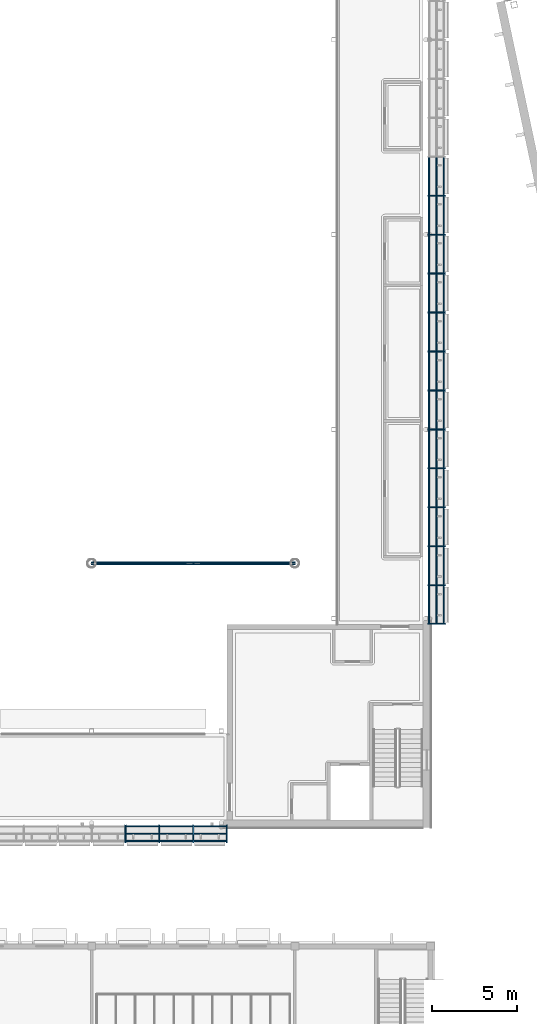
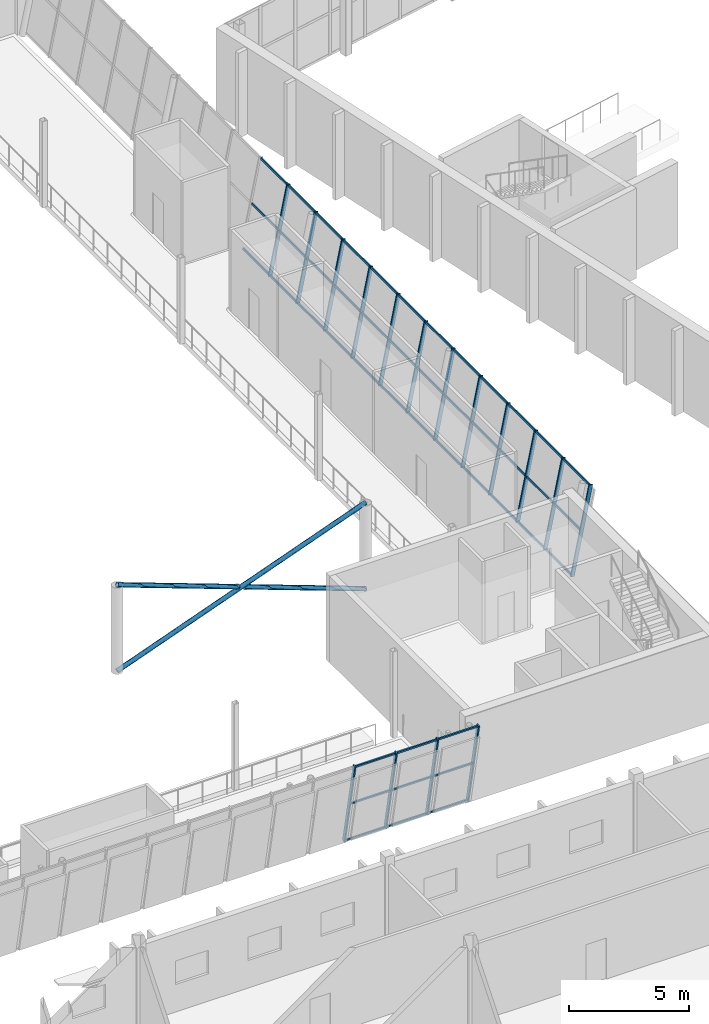
# One storey, part 39 of 115: 64 members, 2 elements without a shape of their own.
"""IFC4 building model written with IfcOpenShell, lengths in metres."""

from ifc_helpers import new_model, si_unit, direction, frame, origin, origin_2d, place, context, subcontext, project, spatial, rectangle, hollow_circle, extrude, material, layer, layer_set, material_profile, profile_set, type_object, element, aggregate, save


model = new_model("IFC4")

# Units and contexts
model_context = context("Model", 3, precision=1e-05, world=origin(), true_north=direction((0.0, 1.0)))
body_context = subcontext(model_context, "Body", "Model", "MODEL_VIEW")
ifc_project = project(units=[si_unit("LENGTHUNIT", "METRE"), si_unit("AREAUNIT", "SQUARE_METRE"), si_unit("VOLUMEUNIT", "CUBIC_METRE"), si_unit("PLANEANGLEUNIT", "RADIAN"), si_unit("MASSUNIT", "GRAM", prefix="KILO")], contexts=[model_context])

# Site, building, storey
site_placement = place(None, origin())
site = spatial("IfcSite", under=ifc_project, at=site_placement, CompositionType="ELEMENT")
building_placement = place(site_placement, origin())
building = spatial("IfcBuilding", under=site, at=building_placement, Name="Windward Yard Aquatics Centre", CompositionType="ELEMENT")
storey_placement = place(building_placement, frame((0.0, 0.0, 5.0)))
storey = spatial("IfcBuildingStorey", under=building, at=storey_placement, Name="L01", CompositionType="ELEMENT", Elevation=5.0)

# Curtain wall, members
ifc_material_1 = material(Name="Glass and aluminium curtain wall", Category="aluminium")
ifc_layer = layer(ifc_material_1, 0.179931640625)
ifc_layer_set = layer_set([ifc_layer], Name="H curtain wall tier 1 double glazed 8+16+8")
curtain_wall_type = type_object("IfcCurtainWallType", Name="H curtain wall tier 1 double glazed 8+16+8", PredefinedType="NOTDEFINED", material=ifc_layer_set)
curtain_wall_1_placement = place(storey_placement, origin())
curtain_wall_1 = element("IfcCurtainWall", 1, at=curtain_wall_1_placement, inside=storey, type_object=curtain_wall_type, Name="Tier 1 glazing S L01", PredefinedType="NOTDEFINED")
ifc_material_2 = material(Name="Aluminium 6063-T6 anodised", Category="aluminium")
ifc_material_profile_1 = material_profile(ifc_material_2, rectangle(XDim=0.06494140625, YDim=0.179931640625, at=origin_2d()), Name="H CW mullion 65x180")
ifc_profile_set_1 = profile_set([ifc_material_profile_1], Name="Aluminium 6063-T6 anodised")
member_type_1 = type_object("IfcMemberType", Name="H CW mullion 65x180", PredefinedType="MULLION", material=ifc_profile_set_1)
member_1_placement = place(storey_placement, frame((134.000732421875, 26.088134765625, 0.017822265625), z_axis=(0.0, -0.199380237329, 0.979922201485), x_axis=(1.0, 0.0, 0.0)))
member_1 = element("IfcMember", 2, at=member_1_placement, type_object=member_type_1, Name="G1SB mullion 17", PredefinedType="MULLION", context=body_context, shape_type="SweptSolid", body=[
    extrude(rectangle(XDim=0.06494140625, YDim=0.179931640625, at=origin_2d()), origin(), (0.0, 0.0, 1.0), 4.471923828125),
])
member_2_placement = place(storey_placement, frame((136.00048828125, 26.088134765625, 0.017822265625), z_axis=(0.0, -0.199380237329, 0.979922201485), x_axis=(1.0, 0.0, 0.0)))
member_2 = element("IfcMember", 3, at=member_2_placement, type_object=member_type_1, Name="G1SB mullion 18", PredefinedType="MULLION", context=body_context, shape_type="SweptSolid", body=[
    extrude(rectangle(XDim=0.06494140625, YDim=0.179931640625, at=origin_2d()), origin(), (0.0, 0.0, 1.0), 4.471923828125),
])
member_3_placement = place(storey_placement, frame((138.000244140625, 26.088134765625, 0.017822265625), z_axis=(0.0, -0.199380237329, 0.979922201485), x_axis=(1.0, 0.0, 0.0)))
member_3 = element("IfcMember", 4, at=member_3_placement, type_object=member_type_1, Name="G1SB mullion 19", PredefinedType="MULLION", context=body_context, shape_type="SweptSolid", body=[
    extrude(rectangle(XDim=0.06494140625, YDim=0.179931640625, at=origin_2d()), origin(), (0.0, 0.0, 1.0), 4.471923828125),
])
member_4_placement = place(storey_placement, frame((139.967529296875, 26.088134765625, 0.017822265625), z_axis=(0.0, -0.199380237329, 0.979922201485), x_axis=(1.0, 0.0, 0.0)))
member_4 = element("IfcMember", 5, at=member_4_placement, type_object=member_type_1, Name="G1SB mullion 20", PredefinedType="MULLION", context=body_context, shape_type="SweptSolid", body=[
    extrude(rectangle(XDim=0.06494140625, YDim=0.179931640625, at=origin_2d()), origin(), (0.0, 0.0, 1.0), 4.471923828125),
])

curtain_wall_2_placement = place(storey_placement, origin())
curtain_wall_2 = element("IfcCurtainWall", 6, at=curtain_wall_2_placement, inside=storey, type_object=curtain_wall_type, Name="Tier 1 glazing E L01", PredefinedType="NOTDEFINED")
member_5_placement = place(storey_placement, frame((151.911865234375, 38.032470703125, 0.017822265625), z_axis=(0.199380237329, 0.0, 0.979922201485), x_axis=(0.0, 1.0, 0.0)))
member_5 = element("IfcMember", 7, at=member_5_placement, type_object=member_type_1, Name="G1EA mullion 1", PredefinedType="MULLION", context=body_context, shape_type="SweptSolid", body=[
    extrude(rectangle(XDim=0.06494140625, YDim=0.179931640625, at=origin_2d()), origin(), (0.0, 0.0, 1.0), 4.471923828125),
])
member_6_placement = place(storey_placement, frame((151.911865234375, 40.300048828125, 0.017822265625), z_axis=(0.199380237329, 0.0, 0.979922201485), x_axis=(0.0, 1.0, 0.0)))
member_6 = element("IfcMember", 8, at=member_6_placement, type_object=member_type_1, Name="G1EA mullion 2", PredefinedType="MULLION", context=body_context, shape_type="SweptSolid", body=[
    extrude(rectangle(XDim=0.06494140625, YDim=0.179931640625, at=origin_2d()), origin(), (0.0, 0.0, 1.0), 4.471923828125),
])
member_7_placement = place(storey_placement, frame((151.911865234375, 42.60009765625, 0.017822265625), z_axis=(0.199380237329, 0.0, 0.979922201485), x_axis=(0.0, 1.0, 0.0)))
member_7 = element("IfcMember", 9, at=member_7_placement, type_object=member_type_1, Name="G1EA mullion 3", PredefinedType="MULLION", context=body_context, shape_type="SweptSolid", body=[
    extrude(rectangle(XDim=0.06494140625, YDim=0.179931640625, at=origin_2d()), origin(), (0.0, 0.0, 1.0), 4.471923828125),
])
member_8_placement = place(storey_placement, frame((151.911865234375, 44.89990234375, 0.017822265625), z_axis=(0.199380237329, 0.0, 0.979922201485), x_axis=(0.0, 1.0, 0.0)))
member_8 = element("IfcMember", 10, at=member_8_placement, type_object=member_type_1, Name="G1EA mullion 4", PredefinedType="MULLION", context=body_context, shape_type="SweptSolid", body=[
    extrude(rectangle(XDim=0.06494140625, YDim=0.179931640625, at=origin_2d()), origin(), (0.0, 0.0, 1.0), 4.471923828125),
])
member_9_placement = place(storey_placement, frame((151.911865234375, 47.199951171875, 0.017822265625), z_axis=(0.199380237329, 0.0, 0.979922201485), x_axis=(0.0, 1.0, 0.0)))
member_9 = element("IfcMember", 11, at=member_9_placement, type_object=member_type_1, Name="G1EA mullion 5", PredefinedType="MULLION", context=body_context, shape_type="SweptSolid", body=[
    extrude(rectangle(XDim=0.06494140625, YDim=0.179931640625, at=origin_2d()), origin(), (0.0, 0.0, 1.0), 4.471923828125),
])
member_10_placement = place(storey_placement, frame((151.911865234375, 49.5, 0.017822265625), z_axis=(0.199380237329, 0.0, 0.979922201485), x_axis=(0.0, 1.0, 0.0)))
member_10 = element("IfcMember", 12, at=member_10_placement, type_object=member_type_1, Name="G1EA mullion 6", PredefinedType="MULLION", context=body_context, shape_type="SweptSolid", body=[
    extrude(rectangle(XDim=0.06494140625, YDim=0.179931640625, at=origin_2d()), origin(), (0.0, 0.0, 1.0), 4.471923828125),
])
member_11_placement = place(storey_placement, frame((151.911865234375, 51.800048828125, 0.017822265625), z_axis=(0.199380237329, 0.0, 0.979922201485), x_axis=(0.0, 1.0, 0.0)))
member_11 = element("IfcMember", 13, at=member_11_placement, type_object=member_type_1, Name="G1EA mullion 7", PredefinedType="MULLION", context=body_context, shape_type="SweptSolid", body=[
    extrude(rectangle(XDim=0.06494140625, YDim=0.179931640625, at=origin_2d()), origin(), (0.0, 0.0, 1.0), 4.471923828125),
])
member_12_placement = place(storey_placement, frame((151.911865234375, 54.10009765625, 0.017822265625), z_axis=(0.199380237329, 0.0, 0.979922201485), x_axis=(0.0, 1.0, 0.0)))
member_12 = element("IfcMember", 14, at=member_12_placement, type_object=member_type_1, Name="G1EA mullion 8", PredefinedType="MULLION", context=body_context, shape_type="SweptSolid", body=[
    extrude(rectangle(XDim=0.06494140625, YDim=0.179931640625, at=origin_2d()), origin(), (0.0, 0.0, 1.0), 4.471923828125),
])
member_13_placement = place(storey_placement, frame((151.911865234375, 56.39990234375, 0.017822265625), z_axis=(0.199380237329, 0.0, 0.979922201485), x_axis=(0.0, 1.0, 0.0)))
member_13 = element("IfcMember", 15, at=member_13_placement, type_object=member_type_1, Name="G1EA mullion 9", PredefinedType="MULLION", context=body_context, shape_type="SweptSolid", body=[
    extrude(rectangle(XDim=0.06494140625, YDim=0.179931640625, at=origin_2d()), origin(), (0.0, 0.0, 1.0), 4.471923828125),
])
member_14_placement = place(storey_placement, frame((151.911865234375, 58.699951171875, 0.017822265625), z_axis=(0.199380237329, 0.0, 0.979922201485), x_axis=(0.0, 1.0, 0.0)))
member_14 = element("IfcMember", 16, at=member_14_placement, type_object=member_type_1, Name="G1EA mullion 10", PredefinedType="MULLION", context=body_context, shape_type="SweptSolid", body=[
    extrude(rectangle(XDim=0.06494140625, YDim=0.179931640625, at=origin_2d()), origin(), (0.0, 0.0, 1.0), 4.471923828125),
])
member_15_placement = place(storey_placement, frame((151.911865234375, 61.0, 0.017822265625), z_axis=(0.199380237329, 0.0, 0.979922201485), x_axis=(0.0, 1.0, 0.0)))
member_15 = element("IfcMember", 17, at=member_15_placement, type_object=member_type_1, Name="G1EA mullion 11", PredefinedType="MULLION", context=body_context, shape_type="SweptSolid", body=[
    extrude(rectangle(XDim=0.06494140625, YDim=0.179931640625, at=origin_2d()), origin(), (0.0, 0.0, 1.0), 4.471923828125),
])
member_16_placement = place(storey_placement, frame((151.911865234375, 63.300048828125, 0.017822265625), z_axis=(0.199380237329, 0.0, 0.979922201485), x_axis=(0.0, 1.0, 0.0)))
member_16 = element("IfcMember", 18, at=member_16_placement, type_object=member_type_1, Name="G1EA mullion 12", PredefinedType="MULLION", context=body_context, shape_type="SweptSolid", body=[
    extrude(rectangle(XDim=0.06494140625, YDim=0.179931640625, at=origin_2d()), origin(), (0.0, 0.0, 1.0), 4.471923828125),
])

# Member
ifc_material_profile_2 = material_profile(ifc_material_2, rectangle(XDim=0.06494140625, YDim=0.10009765625, at=origin_2d()), Name="H CW transom 65x100")
ifc_profile_set_2 = profile_set([ifc_material_profile_2], Name="Aluminium 6063-T6 anodised")
member_type_2 = type_object("IfcMemberType", Name="H CW transom 65x100", PredefinedType="USERDEFINED", material=ifc_profile_set_2)
member_17_placement = place(storey_placement, frame((134.033203125, 26.08056640625, 0.055419921875), z_axis=(1.0, 0.0, 0.0), x_axis=(0.0, 0.979924704642, 0.199367934315)))
member_17 = element("IfcMember", 19, at=member_17_placement, type_object=member_type_2, Name="G1SB transom 17.1", ObjectType="TRANSOM", PredefinedType="USERDEFINED", context=body_context, shape_type="SweptSolid", body=[
    extrude(rectangle(XDim=0.06494140625, YDim=0.10009765625, at=origin_2d()), origin(), (0.0, 0.0, 1.0), 1.934814453125),
])

member_18_placement = place(storey_placement, frame((134.033203125, 25.644287109375, 2.199951171875), z_axis=(1.0, 0.0, 0.0), x_axis=(0.0, 0.979924704642, 0.199367934315)))
member_18 = element("IfcMember", 20, at=member_18_placement, type_object=member_type_2, Name="G1SB transom 17.2", ObjectType="TRANSOM", PredefinedType="USERDEFINED", context=body_context, shape_type="SweptSolid", body=[
    extrude(rectangle(XDim=0.06494140625, YDim=0.10009765625, at=origin_2d()), origin(), (0.0, 0.0, 1.0), 1.934814453125),
])

member_19_placement = place(storey_placement, frame((134.033203125, 25.20654296875, 4.35107421875), z_axis=(1.0, 0.0, 0.0), x_axis=(0.0, 0.979924704642, 0.199367934315)))
member_19 = element("IfcMember", 21, at=member_19_placement, type_object=member_type_2, Name="G1SB transom 17.3", ObjectType="TRANSOM", PredefinedType="USERDEFINED", context=body_context, shape_type="SweptSolid", body=[
    extrude(rectangle(XDim=0.06494140625, YDim=0.10009765625, at=origin_2d()), origin(), (0.0, 0.0, 1.0), 1.934814453125),
])

member_20_placement = place(storey_placement, frame((136.032958984375, 26.08056640625, 0.055419921875), z_axis=(1.0, 0.0, 0.0), x_axis=(0.0, 0.979924704642, 0.199367934315)))
member_20 = element("IfcMember", 22, at=member_20_placement, type_object=member_type_2, Name="G1SB transom 18.1", ObjectType="TRANSOM", PredefinedType="USERDEFINED", context=body_context, shape_type="SweptSolid", body=[
    extrude(rectangle(XDim=0.06494140625, YDim=0.10009765625, at=origin_2d()), origin(), (0.0, 0.0, 1.0), 1.934814453125),
])

member_21_placement = place(storey_placement, frame((136.032958984375, 25.644287109375, 2.199951171875), z_axis=(1.0, 0.0, 0.0), x_axis=(0.0, 0.979924704642, 0.199367934315)))
member_21 = element("IfcMember", 23, at=member_21_placement, type_object=member_type_2, Name="G1SB transom 18.2", ObjectType="TRANSOM", PredefinedType="USERDEFINED", context=body_context, shape_type="SweptSolid", body=[
    extrude(rectangle(XDim=0.06494140625, YDim=0.10009765625, at=origin_2d()), origin(), (0.0, 0.0, 1.0), 1.934814453125),
])

member_22_placement = place(storey_placement, frame((136.032958984375, 25.20654296875, 4.35107421875), z_axis=(1.0, 0.0, 0.0), x_axis=(0.0, 0.979924704642, 0.199367934315)))
member_22 = element("IfcMember", 24, at=member_22_placement, type_object=member_type_2, Name="G1SB transom 18.3", ObjectType="TRANSOM", PredefinedType="USERDEFINED", context=body_context, shape_type="SweptSolid", body=[
    extrude(rectangle(XDim=0.06494140625, YDim=0.10009765625, at=origin_2d()), origin(), (0.0, 0.0, 1.0), 1.934814453125),
])

member_23_placement = place(storey_placement, frame((138.03271484375, 26.08056640625, 0.055419921875), z_axis=(1.0, 0.0, 0.0), x_axis=(0.0, 0.979924704642, 0.199367934315)))
member_23 = element("IfcMember", 25, at=member_23_placement, type_object=member_type_2, Name="G1SB transom 19.1", ObjectType="TRANSOM", PredefinedType="USERDEFINED", context=body_context, shape_type="SweptSolid", body=[
    extrude(rectangle(XDim=0.06494140625, YDim=0.10009765625, at=origin_2d()), origin(), (0.0, 0.0, 1.0), 1.90234375),
])

member_24_placement = place(storey_placement, frame((138.03271484375, 25.644287109375, 2.199951171875), z_axis=(1.0, 0.0, 0.0), x_axis=(0.0, 0.979924704642, 0.199367934315)))
member_24 = element("IfcMember", 26, at=member_24_placement, type_object=member_type_2, Name="G1SB transom 19.2", ObjectType="TRANSOM", PredefinedType="USERDEFINED", context=body_context, shape_type="SweptSolid", body=[
    extrude(rectangle(XDim=0.06494140625, YDim=0.10009765625, at=origin_2d()), origin(), (0.0, 0.0, 1.0), 1.90234375),
])

member_25_placement = place(storey_placement, frame((138.03271484375, 25.20654296875, 4.35107421875), z_axis=(1.0, 0.0, 0.0), x_axis=(0.0, 0.979924704642, 0.199367934315)))
member_25 = element("IfcMember", 27, at=member_25_placement, type_object=member_type_2, Name="G1SB transom 19.3", ObjectType="TRANSOM", PredefinedType="USERDEFINED", context=body_context, shape_type="SweptSolid", body=[
    extrude(rectangle(XDim=0.06494140625, YDim=0.10009765625, at=origin_2d()), origin(), (0.0, 0.0, 1.0), 1.90234375),
])

aggregate(curtain_wall_1, [member_1, member_2, member_3, member_4, member_17, member_18, member_19, member_20, member_21, member_22, member_23, member_24, member_25])

member_26_placement = place(storey_placement, frame((151.91943359375, 38.06494140625, 0.055419921875), z_axis=(0.0, 1.0, 0.0), x_axis=(-0.979924704642, 0.0, 0.199367934315)))
member_26 = element("IfcMember", 28, at=member_26_placement, type_object=member_type_2, Name="G1EA transom 1.1", ObjectType="TRANSOM", PredefinedType="USERDEFINED", context=body_context, shape_type="SweptSolid", body=[
    extrude(rectangle(XDim=0.06494140625, YDim=0.10009765625, at=origin_2d()), origin(), (0.0, 0.0, 1.0), 2.20263671875),
])

member_27_placement = place(storey_placement, frame((152.355712890625, 38.06494140625, 2.199951171875), z_axis=(0.0, 1.0, 0.0), x_axis=(-0.979924704642, 0.0, 0.199367934315)))
member_27 = element("IfcMember", 29, at=member_27_placement, type_object=member_type_2, Name="G1EA transom 1.2", ObjectType="TRANSOM", PredefinedType="USERDEFINED", context=body_context, shape_type="SweptSolid", body=[
    extrude(rectangle(XDim=0.06494140625, YDim=0.10009765625, at=origin_2d()), origin(), (0.0, 0.0, 1.0), 2.20263671875),
])

member_28_placement = place(storey_placement, frame((152.79345703125, 38.06494140625, 4.35107421875), z_axis=(0.0, 1.0, 0.0), x_axis=(-0.979924704642, 0.0, 0.199367934315)))
member_28 = element("IfcMember", 30, at=member_28_placement, type_object=member_type_2, Name="G1EA transom 1.3", ObjectType="TRANSOM", PredefinedType="USERDEFINED", context=body_context, shape_type="SweptSolid", body=[
    extrude(rectangle(XDim=0.06494140625, YDim=0.10009765625, at=origin_2d()), origin(), (0.0, 0.0, 1.0), 2.20263671875),
])

member_29_placement = place(storey_placement, frame((151.91943359375, 40.33251953125, 0.055419921875), z_axis=(0.0, 1.0, 0.0), x_axis=(-0.979924704642, 0.0, 0.199367934315)))
member_29 = element("IfcMember", 31, at=member_29_placement, type_object=member_type_2, Name="G1EA transom 2.1", ObjectType="TRANSOM", PredefinedType="USERDEFINED", context=body_context, shape_type="SweptSolid", body=[
    extrude(rectangle(XDim=0.06494140625, YDim=0.10009765625, at=origin_2d()), origin(), (0.0, 0.0, 1.0), 2.23486328125),
])

member_30_placement = place(storey_placement, frame((152.355712890625, 40.33251953125, 2.199951171875), z_axis=(0.0, 1.0, 0.0), x_axis=(-0.979924704642, 0.0, 0.199367934315)))
member_30 = element("IfcMember", 32, at=member_30_placement, type_object=member_type_2, Name="G1EA transom 2.2", ObjectType="TRANSOM", PredefinedType="USERDEFINED", context=body_context, shape_type="SweptSolid", body=[
    extrude(rectangle(XDim=0.06494140625, YDim=0.10009765625, at=origin_2d()), origin(), (0.0, 0.0, 1.0), 2.23486328125),
])

member_31_placement = place(storey_placement, frame((152.79345703125, 40.33251953125, 4.35107421875), z_axis=(0.0, 1.0, 0.0), x_axis=(-0.979924704642, 0.0, 0.199367934315)))
member_31 = element("IfcMember", 33, at=member_31_placement, type_object=member_type_2, Name="G1EA transom 2.3", ObjectType="TRANSOM", PredefinedType="USERDEFINED", context=body_context, shape_type="SweptSolid", body=[
    extrude(rectangle(XDim=0.06494140625, YDim=0.10009765625, at=origin_2d()), origin(), (0.0, 0.0, 1.0), 2.23486328125),
])

member_32_placement = place(storey_placement, frame((151.91943359375, 42.632568359375, 0.055419921875), z_axis=(0.0, 1.0, 0.0), x_axis=(-0.979924704642, 0.0, 0.199367934315)))
member_32 = element("IfcMember", 34, at=member_32_placement, type_object=member_type_2, Name="G1EA transom 3.1", ObjectType="TRANSOM", PredefinedType="USERDEFINED", context=body_context, shape_type="SweptSolid", body=[
    extrude(rectangle(XDim=0.06494140625, YDim=0.10009765625, at=origin_2d()), origin(), (0.0, 0.0, 1.0), 2.23486328125),
])

member_33_placement = place(storey_placement, frame((152.355712890625, 42.632568359375, 2.199951171875), z_axis=(0.0, 1.0, 0.0), x_axis=(-0.979924704642, 0.0, 0.199367934315)))
member_33 = element("IfcMember", 35, at=member_33_placement, type_object=member_type_2, Name="G1EA transom 3.2", ObjectType="TRANSOM", PredefinedType="USERDEFINED", context=body_context, shape_type="SweptSolid", body=[
    extrude(rectangle(XDim=0.06494140625, YDim=0.10009765625, at=origin_2d()), origin(), (0.0, 0.0, 1.0), 2.23486328125),
])

member_34_placement = place(storey_placement, frame((152.79345703125, 42.632568359375, 4.35107421875), z_axis=(0.0, 1.0, 0.0), x_axis=(-0.979924704642, 0.0, 0.199367934315)))
member_34 = element("IfcMember", 36, at=member_34_placement, type_object=member_type_2, Name="G1EA transom 3.3", ObjectType="TRANSOM", PredefinedType="USERDEFINED", context=body_context, shape_type="SweptSolid", body=[
    extrude(rectangle(XDim=0.06494140625, YDim=0.10009765625, at=origin_2d()), origin(), (0.0, 0.0, 1.0), 2.23486328125),
])

member_35_placement = place(storey_placement, frame((151.91943359375, 44.9326171875, 0.055419921875), z_axis=(0.0, 1.0, 0.0), x_axis=(-0.979924704642, 0.0, 0.199367934315)))
member_35 = element("IfcMember", 37, at=member_35_placement, type_object=member_type_2, Name="G1EA transom 4.1", ObjectType="TRANSOM", PredefinedType="USERDEFINED", context=body_context, shape_type="SweptSolid", body=[
    extrude(rectangle(XDim=0.06494140625, YDim=0.10009765625, at=origin_2d()), origin(), (0.0, 0.0, 1.0), 2.23486328125),
])

member_36_placement = place(storey_placement, frame((152.355712890625, 44.9326171875, 2.199951171875), z_axis=(0.0, 1.0, 0.0), x_axis=(-0.979924704642, 0.0, 0.199367934315)))
member_36 = element("IfcMember", 38, at=member_36_placement, type_object=member_type_2, Name="G1EA transom 4.2", ObjectType="TRANSOM", PredefinedType="USERDEFINED", context=body_context, shape_type="SweptSolid", body=[
    extrude(rectangle(XDim=0.06494140625, YDim=0.10009765625, at=origin_2d()), origin(), (0.0, 0.0, 1.0), 2.23486328125),
])

member_37_placement = place(storey_placement, frame((152.79345703125, 44.9326171875, 4.35107421875), z_axis=(0.0, 1.0, 0.0), x_axis=(-0.979924704642, 0.0, 0.199367934315)))
member_37 = element("IfcMember", 39, at=member_37_placement, type_object=member_type_2, Name="G1EA transom 4.3", ObjectType="TRANSOM", PredefinedType="USERDEFINED", context=body_context, shape_type="SweptSolid", body=[
    extrude(rectangle(XDim=0.06494140625, YDim=0.10009765625, at=origin_2d()), origin(), (0.0, 0.0, 1.0), 2.23486328125),
])

member_38_placement = place(storey_placement, frame((151.91943359375, 47.232421875, 0.055419921875), z_axis=(0.0, 1.0, 0.0), x_axis=(-0.979924704642, 0.0, 0.199367934315)))
member_38 = element("IfcMember", 40, at=member_38_placement, type_object=member_type_2, Name="G1EA transom 5.1", ObjectType="TRANSOM", PredefinedType="USERDEFINED", context=body_context, shape_type="SweptSolid", body=[
    extrude(rectangle(XDim=0.06494140625, YDim=0.10009765625, at=origin_2d()), origin(), (0.0, 0.0, 1.0), 2.235107421875),
])

member_39_placement = place(storey_placement, frame((152.355712890625, 47.232421875, 2.199951171875), z_axis=(0.0, 1.0, 0.0), x_axis=(-0.979924704642, 0.0, 0.199367934315)))
member_39 = element("IfcMember", 41, at=member_39_placement, type_object=member_type_2, Name="G1EA transom 5.2", ObjectType="TRANSOM", PredefinedType="USERDEFINED", context=body_context, shape_type="SweptSolid", body=[
    extrude(rectangle(XDim=0.06494140625, YDim=0.10009765625, at=origin_2d()), origin(), (0.0, 0.0, 1.0), 2.235107421875),
])

member_40_placement = place(storey_placement, frame((152.79345703125, 47.232421875, 4.35107421875), z_axis=(0.0, 1.0, 0.0), x_axis=(-0.979924704642, 0.0, 0.199367934315)))
member_40 = element("IfcMember", 42, at=member_40_placement, type_object=member_type_2, Name="G1EA transom 5.3", ObjectType="TRANSOM", PredefinedType="USERDEFINED", context=body_context, shape_type="SweptSolid", body=[
    extrude(rectangle(XDim=0.06494140625, YDim=0.10009765625, at=origin_2d()), origin(), (0.0, 0.0, 1.0), 2.235107421875),
])

member_41_placement = place(storey_placement, frame((151.91943359375, 49.532470703125, 0.055419921875), z_axis=(0.0, 1.0, 0.0), x_axis=(-0.979924704642, 0.0, 0.199367934315)))
member_41 = element("IfcMember", 43, at=member_41_placement, type_object=member_type_2, Name="G1EA transom 6.1", ObjectType="TRANSOM", PredefinedType="USERDEFINED", context=body_context, shape_type="SweptSolid", body=[
    extrude(rectangle(XDim=0.06494140625, YDim=0.10009765625, at=origin_2d()), origin(), (0.0, 0.0, 1.0), 2.235107421875),
])

member_42_placement = place(storey_placement, frame((152.355712890625, 49.532470703125, 2.199951171875), z_axis=(0.0, 1.0, 0.0), x_axis=(-0.979924704642, 0.0, 0.199367934315)))
member_42 = element("IfcMember", 44, at=member_42_placement, type_object=member_type_2, Name="G1EA transom 6.2", ObjectType="TRANSOM", PredefinedType="USERDEFINED", context=body_context, shape_type="SweptSolid", body=[
    extrude(rectangle(XDim=0.06494140625, YDim=0.10009765625, at=origin_2d()), origin(), (0.0, 0.0, 1.0), 2.235107421875),
])

member_43_placement = place(storey_placement, frame((152.79345703125, 49.532470703125, 4.35107421875), z_axis=(0.0, 1.0, 0.0), x_axis=(-0.979924704642, 0.0, 0.199367934315)))
member_43 = element("IfcMember", 45, at=member_43_placement, type_object=member_type_2, Name="G1EA transom 6.3", ObjectType="TRANSOM", PredefinedType="USERDEFINED", context=body_context, shape_type="SweptSolid", body=[
    extrude(rectangle(XDim=0.06494140625, YDim=0.10009765625, at=origin_2d()), origin(), (0.0, 0.0, 1.0), 2.235107421875),
])

member_44_placement = place(storey_placement, frame((151.91943359375, 51.83251953125, 0.055419921875), z_axis=(0.0, 1.0, 0.0), x_axis=(-0.979924704642, 0.0, 0.199367934315)))
member_44 = element("IfcMember", 46, at=member_44_placement, type_object=member_type_2, Name="G1EA transom 7.1", ObjectType="TRANSOM", PredefinedType="USERDEFINED", context=body_context, shape_type="SweptSolid", body=[
    extrude(rectangle(XDim=0.06494140625, YDim=0.10009765625, at=origin_2d()), origin(), (0.0, 0.0, 1.0), 2.23486328125),
])

member_45_placement = place(storey_placement, frame((152.355712890625, 51.83251953125, 2.199951171875), z_axis=(0.0, 1.0, 0.0), x_axis=(-0.979924704642, 0.0, 0.199367934315)))
member_45 = element("IfcMember", 47, at=member_45_placement, type_object=member_type_2, Name="G1EA transom 7.2", ObjectType="TRANSOM", PredefinedType="USERDEFINED", context=body_context, shape_type="SweptSolid", body=[
    extrude(rectangle(XDim=0.06494140625, YDim=0.10009765625, at=origin_2d()), origin(), (0.0, 0.0, 1.0), 2.23486328125),
])

member_46_placement = place(storey_placement, frame((152.79345703125, 51.83251953125, 4.35107421875), z_axis=(0.0, 1.0, 0.0), x_axis=(-0.979924704642, 0.0, 0.199367934315)))
member_46 = element("IfcMember", 48, at=member_46_placement, type_object=member_type_2, Name="G1EA transom 7.3", ObjectType="TRANSOM", PredefinedType="USERDEFINED", context=body_context, shape_type="SweptSolid", body=[
    extrude(rectangle(XDim=0.06494140625, YDim=0.10009765625, at=origin_2d()), origin(), (0.0, 0.0, 1.0), 2.23486328125),
])

member_47_placement = place(storey_placement, frame((151.91943359375, 54.132568359375, 0.055419921875), z_axis=(0.0, 1.0, 0.0), x_axis=(-0.979924704642, 0.0, 0.199367934315)))
member_47 = element("IfcMember", 49, at=member_47_placement, type_object=member_type_2, Name="G1EA transom 8.1", ObjectType="TRANSOM", PredefinedType="USERDEFINED", context=body_context, shape_type="SweptSolid", body=[
    extrude(rectangle(XDim=0.06494140625, YDim=0.10009765625, at=origin_2d()), origin(), (0.0, 0.0, 1.0), 2.23486328125),
])

member_48_placement = place(storey_placement, frame((152.355712890625, 54.132568359375, 2.199951171875), z_axis=(0.0, 1.0, 0.0), x_axis=(-0.979924704642, 0.0, 0.199367934315)))
member_48 = element("IfcMember", 50, at=member_48_placement, type_object=member_type_2, Name="G1EA transom 8.2", ObjectType="TRANSOM", PredefinedType="USERDEFINED", context=body_context, shape_type="SweptSolid", body=[
    extrude(rectangle(XDim=0.06494140625, YDim=0.10009765625, at=origin_2d()), origin(), (0.0, 0.0, 1.0), 2.23486328125),
])

member_49_placement = place(storey_placement, frame((152.79345703125, 54.132568359375, 4.35107421875), z_axis=(0.0, 1.0, 0.0), x_axis=(-0.979924704642, 0.0, 0.199367934315)))
member_49 = element("IfcMember", 51, at=member_49_placement, type_object=member_type_2, Name="G1EA transom 8.3", ObjectType="TRANSOM", PredefinedType="USERDEFINED", context=body_context, shape_type="SweptSolid", body=[
    extrude(rectangle(XDim=0.06494140625, YDim=0.10009765625, at=origin_2d()), origin(), (0.0, 0.0, 1.0), 2.23486328125),
])

member_50_placement = place(storey_placement, frame((151.91943359375, 56.4326171875, 0.055419921875), z_axis=(0.0, 1.0, 0.0), x_axis=(-0.979924704642, 0.0, 0.199367934315)))
member_50 = element("IfcMember", 52, at=member_50_placement, type_object=member_type_2, Name="G1EA transom 9.1", ObjectType="TRANSOM", PredefinedType="USERDEFINED", context=body_context, shape_type="SweptSolid", body=[
    extrude(rectangle(XDim=0.06494140625, YDim=0.10009765625, at=origin_2d()), origin(), (0.0, 0.0, 1.0), 2.23486328125),
])

member_51_placement = place(storey_placement, frame((152.355712890625, 56.4326171875, 2.199951171875), z_axis=(0.0, 1.0, 0.0), x_axis=(-0.979924704642, 0.0, 0.199367934315)))
member_51 = element("IfcMember", 53, at=member_51_placement, type_object=member_type_2, Name="G1EA transom 9.2", ObjectType="TRANSOM", PredefinedType="USERDEFINED", context=body_context, shape_type="SweptSolid", body=[
    extrude(rectangle(XDim=0.06494140625, YDim=0.10009765625, at=origin_2d()), origin(), (0.0, 0.0, 1.0), 2.23486328125),
])

member_52_placement = place(storey_placement, frame((152.79345703125, 56.4326171875, 4.35107421875), z_axis=(0.0, 1.0, 0.0), x_axis=(-0.979924704642, 0.0, 0.199367934315)))
member_52 = element("IfcMember", 54, at=member_52_placement, type_object=member_type_2, Name="G1EA transom 9.3", ObjectType="TRANSOM", PredefinedType="USERDEFINED", context=body_context, shape_type="SweptSolid", body=[
    extrude(rectangle(XDim=0.06494140625, YDim=0.10009765625, at=origin_2d()), origin(), (0.0, 0.0, 1.0), 2.23486328125),
])

member_53_placement = place(storey_placement, frame((151.91943359375, 58.732421875, 0.055419921875), z_axis=(0.0, 1.0, 0.0), x_axis=(-0.979924704642, 0.0, 0.199367934315)))
member_53 = element("IfcMember", 55, at=member_53_placement, type_object=member_type_2, Name="G1EA transom 10.1", ObjectType="TRANSOM", PredefinedType="USERDEFINED", context=body_context, shape_type="SweptSolid", body=[
    extrude(rectangle(XDim=0.06494140625, YDim=0.10009765625, at=origin_2d()), origin(), (0.0, 0.0, 1.0), 2.235107421875),
])

member_54_placement = place(storey_placement, frame((152.355712890625, 58.732421875, 2.199951171875), z_axis=(0.0, 1.0, 0.0), x_axis=(-0.979924704642, 0.0, 0.199367934315)))
member_54 = element("IfcMember", 56, at=member_54_placement, type_object=member_type_2, Name="G1EA transom 10.2", ObjectType="TRANSOM", PredefinedType="USERDEFINED", context=body_context, shape_type="SweptSolid", body=[
    extrude(rectangle(XDim=0.06494140625, YDim=0.10009765625, at=origin_2d()), origin(), (0.0, 0.0, 1.0), 2.235107421875),
])

member_55_placement = place(storey_placement, frame((152.79345703125, 58.732421875, 4.35107421875), z_axis=(0.0, 1.0, 0.0), x_axis=(-0.979924704642, 0.0, 0.199367934315)))
member_55 = element("IfcMember", 57, at=member_55_placement, type_object=member_type_2, Name="G1EA transom 10.3", ObjectType="TRANSOM", PredefinedType="USERDEFINED", context=body_context, shape_type="SweptSolid", body=[
    extrude(rectangle(XDim=0.06494140625, YDim=0.10009765625, at=origin_2d()), origin(), (0.0, 0.0, 1.0), 2.235107421875),
])

member_56_placement = place(storey_placement, frame((151.91943359375, 61.032470703125, 0.055419921875), z_axis=(0.0, 1.0, 0.0), x_axis=(-0.979924704642, 0.0, 0.199367934315)))
member_56 = element("IfcMember", 58, at=member_56_placement, type_object=member_type_2, Name="G1EA transom 11.1", ObjectType="TRANSOM", PredefinedType="USERDEFINED", context=body_context, shape_type="SweptSolid", body=[
    extrude(rectangle(XDim=0.06494140625, YDim=0.10009765625, at=origin_2d()), origin(), (0.0, 0.0, 1.0), 2.235107421875),
])

member_57_placement = place(storey_placement, frame((152.355712890625, 61.032470703125, 2.199951171875), z_axis=(0.0, 1.0, 0.0), x_axis=(-0.979924704642, 0.0, 0.199367934315)))
member_57 = element("IfcMember", 59, at=member_57_placement, type_object=member_type_2, Name="G1EA transom 11.2", ObjectType="TRANSOM", PredefinedType="USERDEFINED", context=body_context, shape_type="SweptSolid", body=[
    extrude(rectangle(XDim=0.06494140625, YDim=0.10009765625, at=origin_2d()), origin(), (0.0, 0.0, 1.0), 2.235107421875),
])

member_58_placement = place(storey_placement, frame((152.79345703125, 61.032470703125, 4.35107421875), z_axis=(0.0, 1.0, 0.0), x_axis=(-0.979924704642, 0.0, 0.199367934315)))
member_58 = element("IfcMember", 60, at=member_58_placement, type_object=member_type_2, Name="G1EA transom 11.3", ObjectType="TRANSOM", PredefinedType="USERDEFINED", context=body_context, shape_type="SweptSolid", body=[
    extrude(rectangle(XDim=0.06494140625, YDim=0.10009765625, at=origin_2d()), origin(), (0.0, 0.0, 1.0), 2.235107421875),
])

member_59_placement = place(storey_placement, frame((151.91943359375, 63.33251953125, 0.055419921875), z_axis=(0.0, 1.0, 0.0), x_axis=(-0.979924704642, 0.0, 0.199367934315)))
member_59 = element("IfcMember", 61, at=member_59_placement, type_object=member_type_2, Name="G1EA transom 12.1", ObjectType="TRANSOM", PredefinedType="USERDEFINED", context=body_context, shape_type="SweptSolid", body=[
    extrude(rectangle(XDim=0.06494140625, YDim=0.10009765625, at=origin_2d()), origin(), (0.0, 0.0, 1.0), 2.23486328125),
])

member_60_placement = place(storey_placement, frame((152.355712890625, 63.33251953125, 2.199951171875), z_axis=(0.0, 1.0, 0.0), x_axis=(-0.979924704642, 0.0, 0.199367934315)))
member_60 = element("IfcMember", 62, at=member_60_placement, type_object=member_type_2, Name="G1EA transom 12.2", ObjectType="TRANSOM", PredefinedType="USERDEFINED", context=body_context, shape_type="SweptSolid", body=[
    extrude(rectangle(XDim=0.06494140625, YDim=0.10009765625, at=origin_2d()), origin(), (0.0, 0.0, 1.0), 2.23486328125),
])

member_61_placement = place(storey_placement, frame((152.79345703125, 63.33251953125, 4.35107421875), z_axis=(0.0, 1.0, 0.0), x_axis=(-0.979924704642, 0.0, 0.199367934315)))
member_61 = element("IfcMember", 63, at=member_61_placement, type_object=member_type_2, Name="G1EA transom 12.3", ObjectType="TRANSOM", PredefinedType="USERDEFINED", context=body_context, shape_type="SweptSolid", body=[
    extrude(rectangle(XDim=0.06494140625, YDim=0.10009765625, at=origin_2d()), origin(), (0.0, 0.0, 1.0), 2.23486328125),
])

aggregate(curtain_wall_2, [member_5, member_6, member_7, member_8, member_9, member_10, member_11, member_12, member_13, member_14, member_15, member_16, member_26, member_27, member_28, member_29, member_30, member_31, member_32, member_33, member_34, member_35, member_36, member_37, member_38, member_39, member_40, member_41, member_42, member_43, member_44, member_45, member_46, member_47, member_48, member_49, member_50, member_51, member_52, member_53, member_54, member_55, member_56, member_57, member_58, member_59, member_60, member_61])

# Members
ifc_material_3 = material(Name="Steel ASTM A500 Gr C", Category="steel")
ifc_material_profile_3 = material_profile(ifc_material_3, hollow_circle(Radius=0.109619140625, WallThickness=0.0126953125, at=origin_2d()), Name="HSS219.1X12.7")
ifc_profile_set_3 = profile_set([ifc_material_profile_3], Name="Steel ASTM A500 Gr C")
member_type_3 = type_object("IfcMemberType", Name="H column brace HSS219.1X12.7", PredefinedType="BRACE", material=ifc_profile_set_3)
member_62_placement = place(storey_placement, frame((132.0, 41.60009765625, 0.0), z_axis=(0.938878785405, 0.0, 0.344247914033), x_axis=(0.0, 1.0, 0.0)))
element("IfcMember", 64, at=member_62_placement, inside=storey, type_object=member_type_3, Name="H.VB.S7.L01.A", PredefinedType="BRACE", context=body_context, shape_type="SweptSolid", body=[
    extrude(hollow_circle(Radius=0.109619140625, WallThickness=0.0126953125, at=origin_2d()), origin(), (0.0, 0.0, 1.0), 12.78125),
])
for number, where, z_axis, x_axis, name in (
    (65, (132.0, 41.60009765625, 4.39990234375), (0.938880951774, 0.0, -0.344242005567), (0.0, 1.0, 0.0), "H.VB.S7.L01.B1"),
    (66, (138.140380859375, 41.60009765625, 2.1484375), (0.938880951774, 0.0, -0.344242005567), (0.0, 1.0, 0.0), "H.VB.S7.L01.B2"),
):
    element("IfcMember", number, at=place(storey_placement, frame(where, z_axis=z_axis, x_axis=x_axis)), inside=storey, type_object=member_type_3, Name=name, PredefinedType="BRACE", context=body_context, shape_type="SweptSolid", body=[
        extrude(hollow_circle(Radius=0.109619140625, WallThickness=0.0126953125, at=origin_2d()), origin(), (0.0, 0.0, 1.0), 6.240966796875),
    ])

save(model, "model.ifc")
